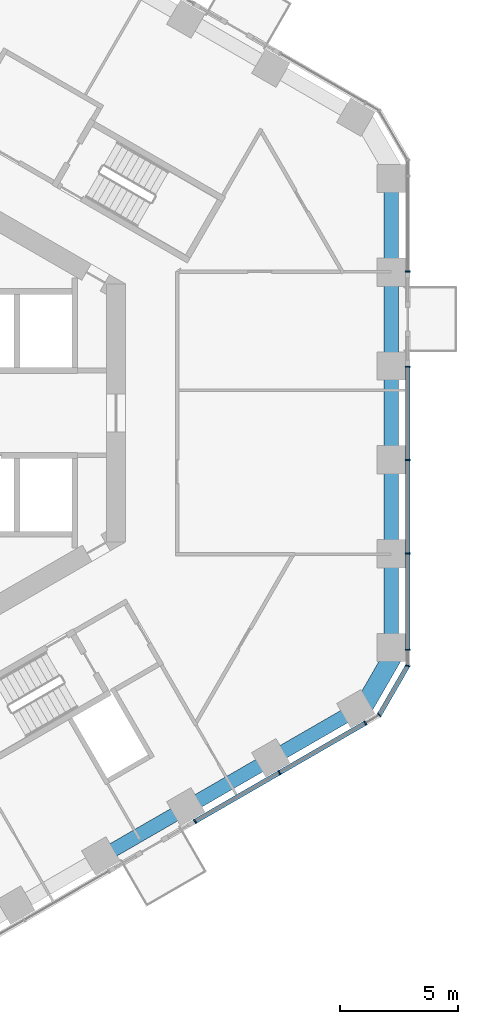
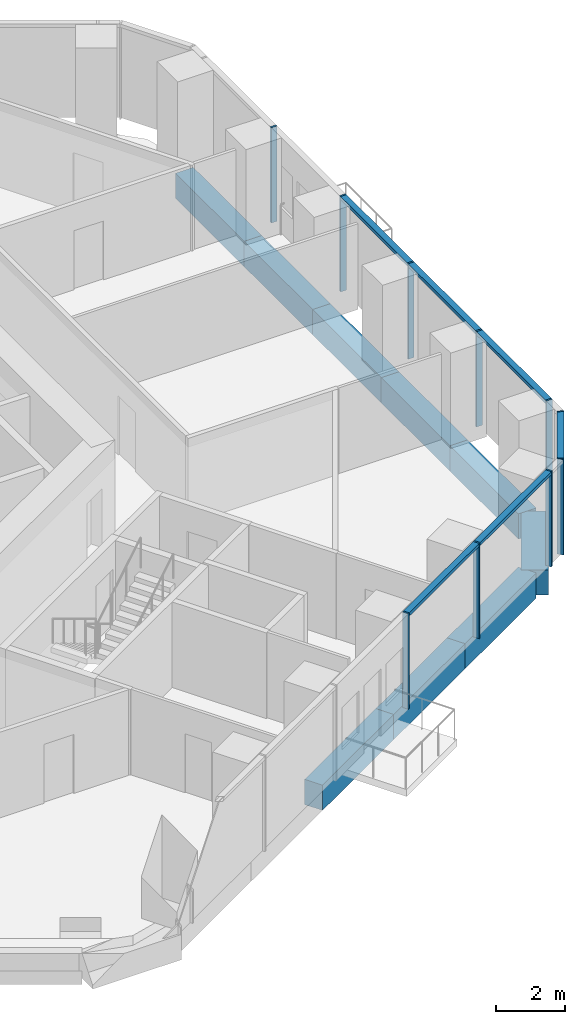
# One storey, part 4 of 19: 13 members, 9 beams, 4 elements without a shape of their own.
"""IFC4 building model written with IfcOpenShell, lengths in metres."""

from ifc_helpers import new_model, si_unit, direction, frame, origin, origin_2d, place, context, subcontext, project, spatial, rectangle, extrude, material, layer, layer_set, material_profile, profile_set, type_object, element, aggregate, save


model = new_model("IFC4")

# Units and contexts
model_context = context("Model", 3, precision=1e-05, world=origin(), true_north=direction((0.0, 1.0)))
body_context = subcontext(model_context, "Body", "Model", "MODEL_VIEW")
ifc_project = project(units=[si_unit("LENGTHUNIT", "METRE"), si_unit("AREAUNIT", "SQUARE_METRE"), si_unit("VOLUMEUNIT", "CUBIC_METRE"), si_unit("PLANEANGLEUNIT", "RADIAN"), si_unit("MASSUNIT", "GRAM", prefix="KILO")], contexts=[model_context])

# Site, building, storey
site_placement = place(None, origin())
site = spatial("IfcSite", under=ifc_project, at=site_placement, CompositionType="ELEMENT")
building_placement = place(site_placement, origin())
building = spatial("IfcBuilding", under=site, at=building_placement, Name="Ayvan Gate Tower", CompositionType="ELEMENT")
storey_placement = place(building_placement, frame((0.0, 0.0, 39.10009765625)))
storey = spatial("IfcBuildingStorey", under=building, at=storey_placement, Name="L09", CompositionType="ELEMENT", Elevation=39.10009765625)

# Beams
ifc_material_1 = material(Name="Concrete C40/50", Category="concrete")
ifc_material_profile_1 = material_profile(ifc_material_1, rectangle(XDim=0.800048828125, YDim=0.89990234375, at=origin_2d()), Name="RC 800x900")
ifc_profile_set_1 = profile_set([ifc_material_profile_1], Name="Concrete C40/50")
beam_type_1 = type_object("IfcBeamType", Name="Corner spandrel beam RC 800x900 C40/50", PredefinedType="BEAM", material=ifc_profile_set_1)
beam_1_placement = place(storey_placement, frame((19.47509765625, -12.718017578125, -0.800048828125), z_axis=(0.499990139034, 0.866031096941, 0.0), x_axis=(-0.866031096941, 0.499990139034, 0.0)))
element("IfcBeam", 1, at=beam_1_placement, inside=storey, type_object=beam_type_1, Name="SB-L09-36", PredefinedType="BEAM", context=body_context, shape_type="SweptSolid", body=[
    extrude(rectangle(XDim=0.800048828125, YDim=0.89990234375, at=origin_2d()), origin(), (0.0, 0.0, 1.0), 3.0),
])
ifc_material_profile_2 = material_profile(ifc_material_1, rectangle(XDim=0.60009765625, YDim=0.89990234375, at=origin_2d()), Name="RC 600x900")
ifc_profile_set_2 = profile_set([ifc_material_profile_2], Name="Concrete C40/50")
beam_type_2 = type_object("IfcBeamType", Name="Spandrel beam RC 600x900 C40/50", PredefinedType="BEAM", material=ifc_profile_set_2)
beam_2_placement = place(storey_placement, frame((20.78466796875, -10.010009765625, -0.800048828125), z_axis=(0.0, 1.0, 0.0), x_axis=(-1.0, 0.0, 0.0)))
element("IfcBeam", 2, at=beam_2_placement, inside=storey, type_object=beam_type_2, Name="SB-L09-1", PredefinedType="BEAM", context=body_context, shape_type="SweptSolid", body=[
    extrude(rectangle(XDim=0.60009765625, YDim=0.89990234375, at=origin_2d()), origin(), (0.0, 0.0, 1.0), 4.004150390625),
])
for number, where, z_axis, x_axis, name in (
    (3, (20.78466796875, -6.005859375, -0.800048828125), (0.0, 1.0, 0.0), (-1.0, 0.0, 0.0), "SB-L09-2"),
    (4, (20.78466796875, -2.001953125, -0.800048828125), (0.0, 1.0, 0.0), (-1.0, 0.0, 0.0), "SB-L09-3"),
    (5, (20.78466796875, 2.001953125, -0.800048828125), (0.0, 1.0, 0.0), (-1.0, 0.0, 0.0), "SB-L09-4"),
):
    element("IfcBeam", number, at=place(storey_placement, frame(where, z_axis=z_axis, x_axis=x_axis)), inside=storey, type_object=beam_type_2, Name=name, PredefinedType="BEAM", context=body_context, shape_type="SweptSolid", body=[
        extrude(rectangle(XDim=0.60009765625, YDim=0.89990234375, at=origin_2d()), origin(), (0.0, 0.0, 1.0), 4.00390625),
    ])
beam_3_placement = place(storey_placement, frame((20.78466796875, 6.005859375, -0.800048828125), z_axis=(0.0, 1.0, 0.0), x_axis=(-1.0, 0.0, 0.0)))
element("IfcBeam", 6, at=beam_3_placement, inside=storey, type_object=beam_type_2, Name="SB-L09-5", PredefinedType="BEAM", context=body_context, shape_type="SweptSolid", body=[
    extrude(rectangle(XDim=0.60009765625, YDim=0.89990234375, at=origin_2d()), origin(), (0.0, 0.0, 1.0), 4.004150390625),
])
beam_4_placement = place(storey_placement, frame((8.479736328125, -18.84619140625, -0.800048828125), z_axis=(0.866027212972, 0.499996866383, 0.0), x_axis=(-0.499996866383, 0.866027212972, 0.0)))
element("IfcBeam", 7, at=beam_4_placement, inside=storey, type_object=beam_type_2, Name="SB-L09-33", PredefinedType="BEAM", context=body_context, shape_type="SweptSolid", body=[
    extrude(rectangle(XDim=0.60009765625, YDim=0.89990234375, at=origin_2d()), origin(), (0.0, 0.0, 1.0), 4.15869140625),
])
beam_5_placement = place(storey_placement, frame((12.081298828125, -16.766845703125, -0.800048828125), z_axis=(0.866041888106, 0.499971447231, 0.0), x_axis=(-0.499971447231, 0.866041888106, 0.0)))
element("IfcBeam", 8, at=beam_5_placement, inside=storey, type_object=beam_type_2, Name="SB-L09-34", PredefinedType="BEAM", context=body_context, shape_type="SweptSolid", body=[
    extrude(rectangle(XDim=0.60009765625, YDim=0.89990234375, at=origin_2d()), origin(), (0.0, 0.0, 1.0), 4.158935546875),
])
beam_6_placement = place(storey_placement, frame((15.68310546875, -14.6875, -0.800048828125), z_axis=(0.866027212972, 0.499996866383, 0.0), x_axis=(-0.499996866383, 0.866027212972, 0.0)))
element("IfcBeam", 9, at=beam_6_placement, inside=storey, type_object=beam_type_2, Name="SB-L09-35", PredefinedType="BEAM", context=body_context, shape_type="SweptSolid", body=[
    extrude(rectangle(XDim=0.60009765625, YDim=0.89990234375, at=origin_2d()), origin(), (0.0, 0.0, 1.0), 4.15869140625),
])

# Curtain wall, members
ifc_material_2 = material(Name="Bronze anodised aluminium", Category="aluminium")
ifc_layer_1 = layer(ifc_material_2, 0.199951171875)
ifc_layer_set_1 = layer_set([ifc_layer_1], Name="Bronze anodised aluminium")
curtain_wall_type_1 = type_object("IfcCurtainWallType", Name="Stick curtain wall CW-1", PredefinedType="NOTDEFINED", material=ifc_layer_set_1)
curtain_wall_1_placement = place(storey_placement, origin())
curtain_wall_1 = element("IfcCurtainWall", 10, at=curtain_wall_1_placement, inside=storey, type_object=curtain_wall_type_1, Name="Stick curtain wall CW-1 L09", PredefinedType="NOTDEFINED")
ifc_material_profile_3 = material_profile(ifc_material_2, rectangle(XDim=0.199951171875, YDim=0.06005859375, at=origin_2d()), Name="Stick curtain wall CW-1 mullion 200 x 60")
ifc_profile_set_3 = profile_set([ifc_material_profile_3], Name="Bronze anodised aluminium")
member_type_1 = type_object("IfcMemberType", Name="Stick curtain wall CW-1 mullion 200 x 60", PredefinedType="MULLION", material=ifc_profile_set_3)
member_1_placement = place(storey_placement, frame((12.455078125, -17.34326171875, 0.0), z_axis=(0.0, 0.0, 1.0), x_axis=(0.5, -0.866025403784, 0.0)))
member_1 = element("IfcMember", 11, at=member_1_placement, type_object=member_type_1, Name="CW-1 mullion 1", PredefinedType="MULLION", context=body_context, shape_type="SweptSolid", body=[
    extrude(rectangle(XDim=0.199951171875, YDim=0.06005859375, at=origin_2d()), origin(), (0.0, 0.0, 1.0), 3.39990234375),
])
member_2_placement = place(storey_placement, frame((16.038818359375, -15.274169921875, 0.0), z_axis=(0.0, 0.0, 1.0), x_axis=(0.5, -0.866025403784, 0.0)))
member_2 = element("IfcMember", 12, at=member_2_placement, type_object=member_type_1, Name="CW-1 mullion 2", PredefinedType="MULLION", context=body_context, shape_type="SweptSolid", body=[
    extrude(rectangle(XDim=0.199951171875, YDim=0.06005859375, at=origin_2d()), origin(), (0.0, 0.0, 1.0), 3.39990234375),
])
member_3_placement = place(storey_placement, frame((19.6884765625, -13.1669921875, 0.0), z_axis=(0.0, 0.0, 1.0), x_axis=(0.5, -0.866025403784, 0.0)))
member_3 = element("IfcMember", 13, at=member_3_placement, type_object=member_type_1, Name="CW-1 mullion 3", PredefinedType="MULLION", context=body_context, shape_type="SweptSolid", body=[
    extrude(rectangle(XDim=0.199951171875, YDim=0.06005859375, at=origin_2d()), origin(), (0.0, 0.0, 1.0), 3.39990234375),
])

curtain_wall_2_placement = place(storey_placement, origin())
curtain_wall_2 = element("IfcCurtainWall", 14, at=curtain_wall_2_placement, inside=storey, type_object=curtain_wall_type_1, Name="Stick curtain wall CW-1 L09", PredefinedType="NOTDEFINED")
member_4_placement = place(storey_placement, frame((21.484619140625, -10.055908203125, 0.0), z_axis=(0.0, 0.0, 1.0), x_axis=(1.0, 0.0, 0.0)))
member_4 = element("IfcMember", 15, at=member_4_placement, type_object=member_type_1, Name="CW-1 mullion 1", PredefinedType="MULLION", context=body_context, shape_type="SweptSolid", body=[
    extrude(rectangle(XDim=0.199951171875, YDim=0.06005859375, at=origin_2d()), origin(), (0.0, 0.0, 1.0), 3.39990234375),
])
member_5_placement = place(storey_placement, frame((21.484619140625, -5.97607421875, 0.0), z_axis=(0.0, 0.0, 1.0), x_axis=(1.0, 0.0, 0.0)))
member_5 = element("IfcMember", 16, at=member_5_placement, type_object=member_type_1, Name="CW-1 mullion 2", PredefinedType="MULLION", context=body_context, shape_type="SweptSolid", body=[
    extrude(rectangle(XDim=0.199951171875, YDim=0.06005859375, at=origin_2d()), origin(), (0.0, 0.0, 1.0), 3.39990234375),
])
member_6_placement = place(storey_placement, frame((21.484619140625, -1.991943359375, 0.0), z_axis=(0.0, 0.0, 1.0), x_axis=(1.0, 0.0, 0.0)))
member_6 = element("IfcMember", 17, at=member_6_placement, type_object=member_type_1, Name="CW-1 mullion 3", PredefinedType="MULLION", context=body_context, shape_type="SweptSolid", body=[
    extrude(rectangle(XDim=0.199951171875, YDim=0.06005859375, at=origin_2d()), origin(), (0.0, 0.0, 1.0), 3.39990234375),
])
member_7_placement = place(storey_placement, frame((21.484619140625, 1.9619140625, 0.0), z_axis=(0.0, 0.0, 1.0), x_axis=(1.0, 0.0, 0.0)))
member_7 = element("IfcMember", 18, at=member_7_placement, type_object=member_type_1, Name="CW-1 mullion 4", PredefinedType="MULLION", context=body_context, shape_type="SweptSolid", body=[
    extrude(rectangle(XDim=0.199951171875, YDim=0.06005859375, at=origin_2d()), origin(), (0.0, 0.0, 1.0), 3.39990234375),
])

# Curtain wall, member
curtain_wall_3_placement = place(storey_placement, origin())
curtain_wall_3 = element("IfcCurtainWall", 19, at=curtain_wall_3_placement, inside=storey, type_object=curtain_wall_type_1, Name="Stick curtain wall CW-1 L09", PredefinedType="NOTDEFINED")
member_8_placement = place(storey_placement, frame((21.484619140625, 6.006103515625, 0.0), z_axis=(0.0, 0.0, 1.0), x_axis=(1.0, 0.0, 0.0)))
member_8 = element("IfcMember", 20, at=member_8_placement, type_object=member_type_1, Name="CW-1 mullion 1", PredefinedType="MULLION", context=body_context, shape_type="SweptSolid", body=[
    extrude(rectangle(XDim=0.199951171875, YDim=0.06005859375, at=origin_2d()), origin(), (0.0, 0.0, 1.0), 3.39990234375),
])
aggregate(curtain_wall_3, [member_8])

# Member
ifc_material_profile_4 = material_profile(ifc_material_2, rectangle(XDim=0.199951171875, YDim=0.1201171875, at=origin_2d()), Name="Stick curtain wall CW-1 transom 200 x 120")
ifc_profile_set_4 = profile_set([ifc_material_profile_4], Name="Bronze anodised aluminium")
member_type_2 = type_object("IfcMemberType", Name="Stick curtain wall CW-1 transom 200 x 120", PredefinedType="USERDEFINED", material=ifc_profile_set_4)
member_9_placement = place(storey_placement, frame((12.455078125, -17.34326171875, 3.33984375), z_axis=(0.866022034189, 0.500005836264, 0.0), x_axis=(-0.500005836264, 0.866022034189, 0.0)))
member_9 = element("IfcMember", 21, at=member_9_placement, type_object=member_type_2, Name="CW-1 transom 1", ObjectType="TRANSOM", PredefinedType="USERDEFINED", context=body_context, shape_type="SweptSolid", body=[
    extrude(rectangle(XDim=0.199951171875, YDim=0.1201171875, at=origin_2d()), origin(), (0.0, 0.0, 1.0), 8.3525390625),
])

aggregate(curtain_wall_1, [member_1, member_2, member_3, member_9])

member_10_placement = place(storey_placement, frame((21.484619140625, -10.055908203125, 3.33984375), z_axis=(0.0, 1.0, 0.0), x_axis=(-1.0, 0.0, 0.0)))
member_10 = element("IfcMember", 22, at=member_10_placement, type_object=member_type_2, Name="CW-1 transom 1", ObjectType="TRANSOM", PredefinedType="USERDEFINED", context=body_context, shape_type="SweptSolid", body=[
    extrude(rectangle(XDim=0.199951171875, YDim=0.1201171875, at=origin_2d()), origin(), (0.0, 0.0, 1.0), 12.017822265625),
])

aggregate(curtain_wall_2, [member_4, member_5, member_6, member_7, member_10])

# Curtain wall, members
ifc_layer_2 = layer(ifc_material_2, 0.199951171875)
ifc_layer_set_2 = layer_set([ifc_layer_2], Name="Bronze anodised aluminium")
curtain_wall_type_2 = type_object("IfcCurtainWallType", Name="Stick curtain wall CW-6", PredefinedType="NOTDEFINED", material=ifc_layer_set_2)
curtain_wall_4_placement = place(storey_placement, origin())
curtain_wall_4 = element("IfcCurtainWall", 23, at=curtain_wall_4_placement, inside=storey, type_object=curtain_wall_type_2, Name="Stick curtain wall CW-6 L09", PredefinedType="NOTDEFINED")
ifc_material_profile_5 = material_profile(ifc_material_2, rectangle(XDim=0.199951171875, YDim=0.050048828125, at=origin_2d()), Name="Stick curtain wall CW-6 mullion 200 x 50")
ifc_profile_set_5 = profile_set([ifc_material_profile_5], Name="Bronze anodised aluminium")
member_type_3 = type_object("IfcMemberType", Name="Stick curtain wall CW-6 mullion 200 x 50", PredefinedType="MULLION", material=ifc_profile_set_5)
member_11_placement = place(storey_placement, frame((20.27734375, -12.8271484375, 0.0), z_axis=(0.0, 0.0, 1.0), x_axis=(0.707106781187, -0.707106781187, 0.0)))
member_11 = element("IfcMember", 24, at=member_11_placement, type_object=member_type_3, Name="CW-6 mullion 2", PredefinedType="MULLION", context=body_context, shape_type="SweptSolid", body=[
    extrude(rectangle(XDim=0.199951171875, YDim=0.050048828125, at=origin_2d()), origin(), (0.0, 0.0, 1.0), 3.39990234375),
])
member_12_placement = place(storey_placement, frame((21.484619140625, -10.736083984375, 0.0), z_axis=(0.0, 0.0, 1.0), x_axis=(0.965925826289, -0.258819045103, 0.0)))
member_12 = element("IfcMember", 25, at=member_12_placement, type_object=member_type_3, Name="CW-6 mullion 3", PredefinedType="MULLION", context=body_context, shape_type="SweptSolid", body=[
    extrude(rectangle(XDim=0.199951171875, YDim=0.050048828125, at=origin_2d()), origin(), (0.0, 0.0, 1.0), 3.39990234375),
])
ifc_material_profile_6 = material_profile(ifc_material_2, rectangle(XDim=0.199951171875, YDim=0.1201171875, at=origin_2d()), Name="Stick curtain wall CW-6 transom 200 x 120")
ifc_profile_set_6 = profile_set([ifc_material_profile_6], Name="Bronze anodised aluminium")
member_type_4 = type_object("IfcMemberType", Name="Stick curtain wall CW-6 transom 200 x 120", PredefinedType="USERDEFINED", material=ifc_profile_set_6)
member_13_placement = place(storey_placement, frame((20.289794921875, -12.805419921875, 3.33984375), z_axis=(0.500014398087, 0.866017090885, 0.0), x_axis=(-0.866017090885, 0.500014398087, 0.0)))
member_13 = element("IfcMember", 26, at=member_13_placement, type_object=member_type_4, Name="CW-6 transom 2", ObjectType="TRANSOM", PredefinedType="USERDEFINED", context=body_context, shape_type="SweptSolid", body=[
    extrude(rectangle(XDim=0.199951171875, YDim=0.1201171875, at=origin_2d()), origin(), (0.0, 0.0, 1.0), 2.36474609375),
])
aggregate(curtain_wall_4, [member_11, member_12, member_13])

save(model, "model.ifc")
